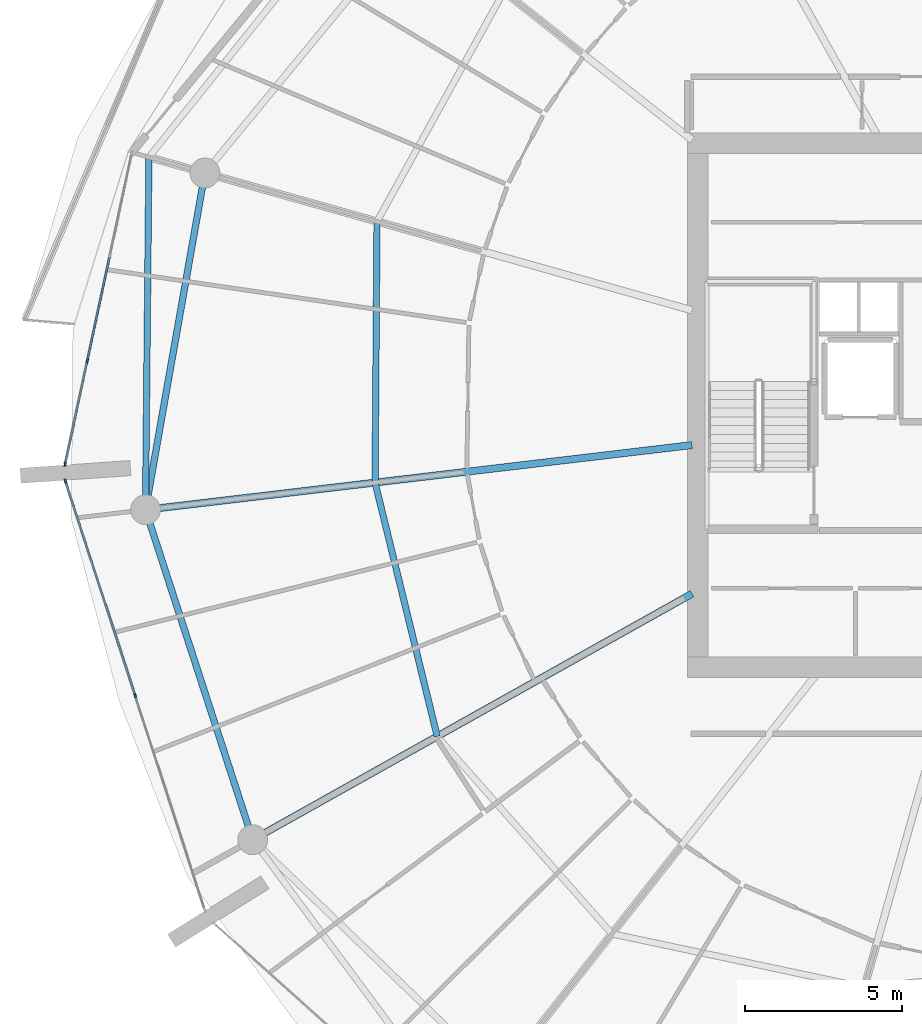
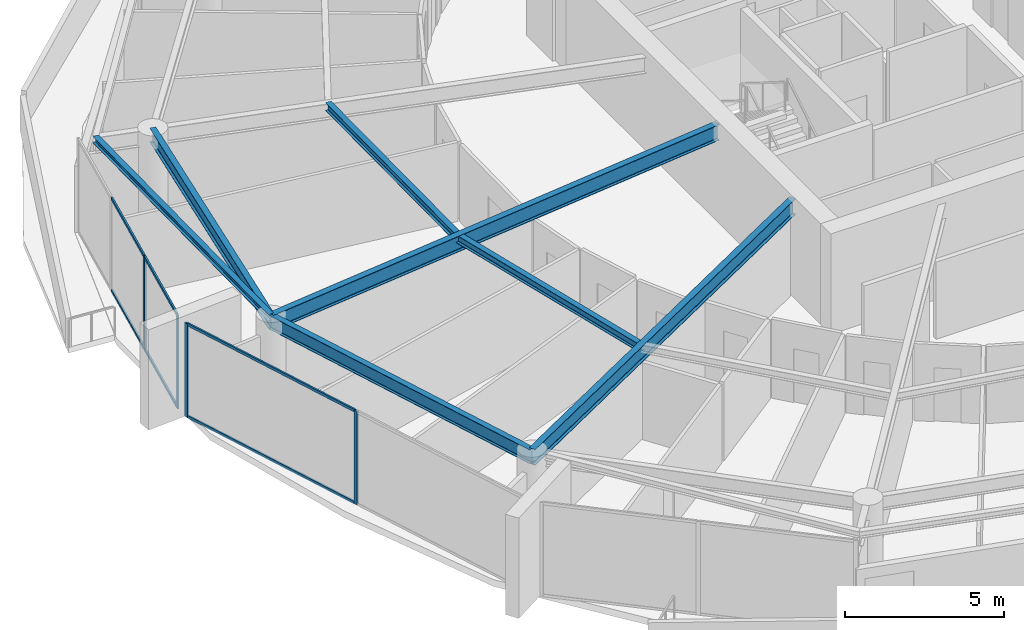
# One storey, part 8 of 30: 10 members, 7 beams, 2 elements without a shape of their own.
"""IFC4 building model written with IfcOpenShell, lengths in metres."""

import ifcopenshell
import ifcopenshell.guid

model = None  # the IFC model being written
_history = None  # IfcOwnerHistory: only IFC2X3 demands one
_inside = {}  # id of a spatial element -> (the spatial element, [elements in it])
_under = {}  # id of a project, library or spatial element -> (it, [spatial elements below it])
_declared = {}  # id of a project -> (the project, [libraries it declares])
_typed = {}  # id of a type object -> (the type object, [elements of that type])
_made_of = {}  # id of a material, layer set ... -> (it, [elements and type objects made of it])


def new_model(schema):
    """Start an empty IFC model of exactly this schema.

    Asked for "IFC4X3", IfcOpenShell would pick the latest addendum, in which some entities
    have other attributes; the version numbers below select the first issue.
    IFC2X3 requires an IfcOwnerHistory on every rooted entity: one is made here for all.
    """
    global model, _history
    if schema == "IFC4X3":
        model = ifcopenshell.file(schema_version=(4, 3, 0, 0))
    else:
        model = ifcopenshell.file(schema=schema)
    _inside.clear()
    _under.clear()
    _declared.clear()
    _typed.clear()
    _made_of.clear()
    _history = None
    if model.schema == "IFC2X3":
        org = make("IfcOrganization", Name="unknown")
        user = make(
            "IfcPersonAndOrganization",
            ThePerson=make("IfcPerson", FamilyName="unknown"),
            TheOrganization=org,
        )
        app = make(
            "IfcApplication",
            ApplicationDeveloper=org,
            Version="unknown",
            ApplicationFullName="unknown",
            ApplicationIdentifier="unknown",
        )
        _history = make(
            "IfcOwnerHistory",
            OwningUser=user,
            OwningApplication=app,
            ChangeAction="ADDED",
            CreationDate=0,
        )
    return model


def make(cls, **values):
    """One entity of the class cls with the attributes given. An attribute that is None is left unset."""
    return model.create_entity(
        cls, **{name: value for name, value in values.items() if value is not None}
    )


def rooted(cls, **values):
    """An entity with a GlobalId (a new one), such as an element, a storey or a relation."""
    return make(cls, GlobalId=ifcopenshell.guid.new(), OwnerHistory=_history, **values)


def si_unit(unit_type, name, prefix=None):
    """IfcSIUnit, for example si_unit("LENGTHUNIT", "METRE", prefix="MILLI")."""
    return make("IfcSIUnit", UnitType=unit_type, Prefix=prefix, Name=name)


def assignment(units):
    """IfcUnitAssignment: the units of a project."""
    return None if units is None else make("IfcUnitAssignment", Units=units)


def point(xyz):
    """IfcCartesianPoint."""
    return None if xyz is None else make("IfcCartesianPoint", Coordinates=xyz)


def direction(xyz):
    """IfcDirection."""
    return None if xyz is None else make("IfcDirection", DirectionRatios=xyz)


def frame(location, z_axis=None, x_axis=None):
    """IfcAxis2Placement3D, a coordinate frame: its origin and axes. An axis left out is left unset."""
    return make(
        "IfcAxis2Placement3D",
        Location=point(location),
        Axis=direction(z_axis),
        RefDirection=direction(x_axis),
    )


def frame_2d(location, x_axis=None):
    """IfcAxis2Placement2D, a coordinate frame in the plane: its origin and x axis."""
    return make(
        "IfcAxis2Placement2D", Location=point(location), RefDirection=direction(x_axis)
    )


def origin():
    """The frame at (0, 0, 0) with its axes left unset."""
    return frame((0.0, 0.0, 0.0))


def origin_2d():
    """The frame at (0, 0) in the plane with its x axis left unset."""
    return frame_2d((0.0, 0.0))


def place(relative_to, where):
    """IfcLocalPlacement: puts the frame where relative to a parent placement (None: the world)."""
    return make(
        "IfcLocalPlacement", PlacementRelTo=relative_to, RelativePlacement=where
    )


def context(
    kind, dimensions, precision=None, world=None, true_north=None, identifier=None
):
    """IfcGeometricRepresentationContext, for example the 3D "Model" context."""
    return make(
        "IfcGeometricRepresentationContext",
        ContextIdentifier=identifier,
        ContextType=kind,
        CoordinateSpaceDimension=dimensions,
        Precision=precision,
        WorldCoordinateSystem=world,
        TrueNorth=true_north,
    )


def subcontext(parent, identifier, kind, view, scale=None):
    """IfcGeometricRepresentationSubContext, for example "Body" below "Model"."""
    return make(
        "IfcGeometricRepresentationSubContext",
        ContextIdentifier=identifier,
        ContextType=kind,
        ParentContext=parent,
        TargetScale=scale,
        TargetView=view,
    )


def project(units=None, contexts=None):
    """IfcProject with its units and contexts."""
    return rooted(
        "IfcProject",
        Name="project",
        RepresentationContexts=contexts,
        UnitsInContext=assignment(units),
    )


def spatial(cls, under=None, at=None, **own):
    """A site, building, storey or space (cls), placed at a placement, below another one or the project."""
    s = rooted(cls, ObjectPlacement=at, **own)
    if under is not None:
        _under.setdefault(under.id(), (under, []))[1].append(s)
    return s


def profile(cls, at=None, kind="AREA", **sizes):
    """A parametric profile (cls). Its sizes go by their IFC names, for example OverallWidth=200.0."""
    return make(cls, ProfileType=kind, Position=at, **sizes)


def rectangle(**sizes):
    """IfcRectangleProfileDef."""
    return profile("IfcRectangleProfileDef", **sizes)


def i_section(**sizes):
    """IfcIShapeProfileDef."""
    return profile("IfcIShapeProfileDef", **sizes)


def extrude(swept, where, along, depth):
    """IfcExtrudedAreaSolid: the profile swept, set in the frame where, extruded along a direction by depth."""
    return make(
        "IfcExtrudedAreaSolid",
        SweptArea=swept,
        Position=where,
        ExtrudedDirection=direction(along),
        Depth=depth,
    )


def shape(context_of_items, identifier, shape_type, items):
    """IfcShapeRepresentation: the items that make up one representation, for example the "Body"."""
    return make(
        "IfcShapeRepresentation",
        ContextOfItems=context_of_items,
        RepresentationIdentifier=identifier,
        RepresentationType=shape_type,
        Items=items,
    )


def material(Name=None, Category=None):
    """IfcMaterial."""
    return make("IfcMaterial", Name=Name, Category=Category)


def layer(
    of_material, thickness, ventilated=None, Name=None, Category=None, Priority=None
):
    """IfcMaterialLayer: one layer of a wall or slab, of a material (None: an air gap)."""
    return make(
        "IfcMaterialLayer",
        Material=of_material,
        LayerThickness=thickness,
        IsVentilated=ventilated,
        Name=Name,
        Category=Category,
        Priority=Priority,
    )


def layer_set(layers, Name=None):
    """IfcMaterialLayerSet."""
    return make("IfcMaterialLayerSet", MaterialLayers=layers, LayerSetName=Name)


def material_profile(
    of_material, cross_section, Name=None, Category=None, Priority=None
):
    """IfcMaterialProfile: a cross section and its material."""
    return make(
        "IfcMaterialProfile",
        Name=Name,
        Material=of_material,
        Profile=cross_section,
        Priority=Priority,
        Category=Category,
    )


def profile_set(profiles, Name=None, composite=None):
    """IfcMaterialProfileSet."""
    return make(
        "IfcMaterialProfileSet",
        Name=Name,
        MaterialProfiles=profiles,
        CompositeProfile=composite,
    )


def made_of(thing, what):
    """Note that an element or type object is made of a material, layer set ...; save() writes the relation."""
    if what is not None:
        _made_of.setdefault(what.id(), (what, []))[1].append(thing)
    return thing


def type_object(cls, material=None, **own):
    """A type object (cls), such as IfcWallType, which elements share."""
    return made_of(rooted(cls, **own), material)


def element(
    cls,
    number,
    at=None,
    inside=None,
    cuts=None,
    type_object=None,
    material=None,
    context=None,
    identifier="Body",
    shape_type=None,
    held_by="IfcProductDefinitionShape",
    body=None,
    shapes=None,
    **own,
):
    """One element of the class cls, such as IfcWall. Its Tag is "e" and its number.

    at: its placement. inside: the storey or other place that contains it. cuts: it is an
    opening in that element (IfcRelVoidsElement). A single representation is given by context,
    identifier, shape_type and body (its items); several are given by shapes. held_by: the class
    of the entity that holds the representations. save() writes the other relations.
    """
    e = rooted(cls, Tag="e%d" % number, ObjectPlacement=at, **own)
    if body is not None:
        shapes = [shape(context, identifier, shape_type, body)]
    if shapes is not None:
        e.Representation = make(held_by, Representations=shapes)
    if inside is not None:
        _inside.setdefault(inside.id(), (inside, []))[1].append(e)
    if cuts is not None:
        rooted(
            "IfcRelVoidsElement", RelatingBuildingElement=cuts, RelatedOpeningElement=e
        )
    if type_object is not None:
        _typed.setdefault(type_object.id(), (type_object, []))[1].append(e)
    return made_of(e, material)


def aggregate(whole, parts):
    """IfcRelAggregates: a whole, such as a stair, and the parts it consists of."""
    return rooted("IfcRelAggregates", RelatingObject=whole, RelatedObjects=parts)


def save(model, path):
    """Write the relations noted so far, then the file.

    IfcRelAggregates (storeys below a building ...), IfcRelContainedInSpatialStructure (elements
    in a storey), IfcRelDefinesByType, IfcRelAssociatesMaterial and IfcRelDeclares: one each for
    every whole, place, type object, material and project.
    """
    for whole, parts in _under.values():
        aggregate(whole, parts)
    for where, things in _inside.values():
        rooted(
            "IfcRelContainedInSpatialStructure",
            RelatedElements=things,
            RelatingStructure=where,
        )
    for kind, things in _typed.values():
        rooted("IfcRelDefinesByType", RelatedObjects=things, RelatingType=kind)
    for what, things in _made_of.values():
        rooted("IfcRelAssociatesMaterial", RelatedObjects=things, RelatingMaterial=what)
    for by, libraries in _declared.values():
        rooted("IfcRelDeclares", RelatingContext=by, RelatedDefinitions=libraries)
    model.write(path)


model = new_model("IFC4")

# Units and contexts
model_context = context("Model", 3, precision=1e-05, world=origin(), true_north=direction((0.0, 1.0)))
body_context = subcontext(model_context, "Body", "Model", "MODEL_VIEW")
ifc_project = project(units=[si_unit("LENGTHUNIT", "METRE"), si_unit("AREAUNIT", "SQUARE_METRE"), si_unit("VOLUMEUNIT", "CUBIC_METRE"), si_unit("PLANEANGLEUNIT", "RADIAN"), si_unit("MASSUNIT", "GRAM", prefix="KILO")], contexts=[model_context])

# Site, building, storey
site_placement = place(None, origin())
site = spatial("IfcSite", under=ifc_project, at=site_placement, CompositionType="ELEMENT")
building_placement = place(site_placement, origin())
building = spatial("IfcBuilding", under=site, at=building_placement, Name="Kazma Halo Residences", CompositionType="ELEMENT")
storey_placement = place(building_placement, frame((0.0, 0.0, 244.39990234375)))
storey = spatial("IfcBuildingStorey", under=building, at=storey_placement, Name="L61", CompositionType="ELEMENT", Elevation=244.39990234375)

# Beams
ifc_material_1 = material(Name="Steel S355", Category="steel")
ifc_material_profile_1 = material_profile(ifc_material_1, i_section(OverallWidth=0.201904296875, OverallDepth=0.2470703125, WebThickness=0.00732421875, FlangeThickness=0.010986328125, FilletRadius=0.011962890625, at=origin_2d()), Name="W250x49.1")
ifc_profile_set_1 = profile_set([ifc_material_profile_1], Name="Steel S355")
beam_type_1 = type_object("IfcBeamType", Name="BM-BAL-CANT", PredefinedType="BEAM", material=ifc_profile_set_1)
beam_1_placement = place(storey_placement, frame((20.028564453125, 49.888916015625, 3.466552734375), z_axis=(-0.009645503464, -0.999953481049, 0.0), x_axis=(0.999953481049, -0.009645503464, 0.0)))
element("IfcBeam", 1, at=beam_1_placement, inside=storey, type_object=beam_type_1, Name="L61 wave-balcony tie beam 07", PredefinedType="BEAM", context=body_context, shape_type="SweptSolid", body=[
    extrude(i_section(OverallWidth=0.201904296875, OverallDepth=0.2470703125, WebThickness=0.00732421875, FlangeThickness=0.010986328125, FilletRadius=0.011962890625, at=origin_2d()), origin(), (0.0, 0.0, 1.0), 11.212890625),
])
ifc_material_profile_2 = material_profile(ifc_material_1, i_section(OverallWidth=0.22802734375, OverallDepth=0.60791015625, WebThickness=0.01123046875, FlangeThickness=0.017333984375, FilletRadius=0.01806640625, at=origin_2d()), Name="W610x113")
ifc_profile_set_2 = profile_set([ifc_material_profile_2], Name="Steel S355")
beam_type_2 = type_object("IfcBeamType", Name="BM-RAD-W610", PredefinedType="BEAM", material=ifc_profile_set_2)
beam_2_placement = place(storey_placement, frame((37.300048828125, 40.733642578125, 3.2861328125), z_axis=(-0.993067702517, -0.117543771495, 0.0), x_axis=(0.117543771495, -0.993067702517, 0.0)))
element("IfcBeam", 2, at=beam_2_placement, inside=storey, type_object=beam_type_2, Name="L61 radial floor beam 08", PredefinedType="BEAM", context=body_context, shape_type="SweptSolid", body=[
    extrude(i_section(OverallWidth=0.22802734375, OverallDepth=0.60791015625, WebThickness=0.01123046875, FlangeThickness=0.017333984375, FilletRadius=0.01806640625, at=origin_2d()), origin(), (0.0, 0.0, 1.0), 17.5009765625),
])
beam_3_placement = place(storey_placement, frame((37.300048828125, 36.0078125, 3.2861328125), z_axis=(-0.872498735757, -0.488616369049, 0.0), x_axis=(0.488616369049, -0.872498735757, 0.0)))
element("IfcBeam", 3, at=beam_3_placement, inside=storey, type_object=beam_type_2, Name="L61 radial floor beam 09", PredefinedType="BEAM", context=body_context, shape_type="SweptSolid", body=[
    extrude(i_section(OverallWidth=0.22802734375, OverallDepth=0.60791015625, WebThickness=0.01123046875, FlangeThickness=0.017333984375, FilletRadius=0.01806640625, at=origin_2d()), origin(), (0.0, 0.0, 1.0), 16.011962890625),
])
ifc_material_profile_3 = material_profile(ifc_material_1, i_section(OverallWidth=0.202880859375, OverallDepth=0.302978515625, WebThickness=0.007568359375, FlangeThickness=0.01318359375, FilletRadius=0.013916015625, at=origin_2d()), Name="W310x60")
ifc_profile_set_3 = profile_set([ifc_material_profile_3], Name="Steel S355")
beam_type_3 = type_object("IfcBeamType", Name="BM-SEC-W310A", PredefinedType="JOIST", material=ifc_profile_set_3)
beam_4_placement = place(storey_placement, frame((27.282470703125, 47.843017578125, 3.4384765625), z_axis=(-0.007527648623, -0.999971666852, 0.0), x_axis=(0.999971666852, -0.007527648623, 0.0)))
element("IfcBeam", 4, at=beam_4_placement, inside=storey, type_object=beam_type_3, Name="L61 circumferential floor joist 07", PredefinedType="JOIST", context=body_context, shape_type="SweptSolid", body=[
    extrude(i_section(OverallWidth=0.202880859375, OverallDepth=0.302978515625, WebThickness=0.007568359375, FlangeThickness=0.01318359375, FilletRadius=0.013916015625, at=origin_2d()), origin(), (0.0, 0.0, 1.0), 8.302734375),
])
beam_5_placement = place(storey_placement, frame((27.219970703125, 39.54052734375, 3.4384765625), z_axis=(0.237963200266, -0.971274171035, 0.0), x_axis=(0.971274171035, 0.237963200266, 0.0)))
element("IfcBeam", 5, at=beam_5_placement, inside=storey, type_object=beam_type_3, Name="L61 circumferential floor joist 08", PredefinedType="JOIST", context=body_context, shape_type="SweptSolid", body=[
    extrude(i_section(OverallWidth=0.202880859375, OverallDepth=0.302978515625, WebThickness=0.007568359375, FlangeThickness=0.01318359375, FilletRadius=0.013916015625, at=origin_2d()), origin(), (0.0, 0.0, 1.0), 8.309326171875),
])
ifc_material_profile_4 = material_profile(ifc_material_1, i_section(OverallWidth=0.208984375, OverallDepth=0.532958984375, WebThickness=0.01025390625, FlangeThickness=0.015625, FilletRadius=0.01611328125, at=origin_2d()), Name="W530x92")
ifc_profile_set_4 = profile_set([ifc_material_profile_4], Name="Steel S355")
beam_type_4 = type_object("IfcBeamType", Name="BM-SPN-W530", PredefinedType="BEAM", material=ifc_profile_set_4)
beam_6_placement = place(storey_placement, frame((21.80908203125, 49.38671875, 3.323486328125), z_axis=(-0.173663672311, -0.984805020763, 0.0), x_axis=(0.984805020763, -0.173663672311, 0.0)))
element("IfcBeam", 6, at=beam_6_placement, inside=storey, type_object=beam_type_4, Name="L61 perimeter ring beam 07", PredefinedType="BEAM", context=body_context, shape_type="SweptSolid", body=[
    extrude(i_section(OverallWidth=0.208984375, OverallDepth=0.532958984375, WebThickness=0.01025390625, FlangeThickness=0.015625, FilletRadius=0.01611328125, at=origin_2d()), origin(), (0.0, 0.0, 1.0), 10.87548828125),
])
beam_7_placement = place(storey_placement, frame((19.92041015625, 38.676513671875, 3.323486328125), z_axis=(0.309015517474, -0.951056996168, 0.0), x_axis=(0.951056996168, 0.309015517474, 0.0)))
element("IfcBeam", 7, at=beam_7_placement, inside=storey, type_object=beam_type_4, Name="L61 perimeter ring beam 08", PredefinedType="BEAM", context=body_context, shape_type="SweptSolid", body=[
    extrude(i_section(OverallWidth=0.208984375, OverallDepth=0.532958984375, WebThickness=0.01025390625, FlangeThickness=0.015625, FilletRadius=0.01611328125, at=origin_2d()), origin(), (0.0, 0.0, 1.0), 11.032470703125),
])

# Curtain wall, members
ifc_material_2 = material(Name="Aluminium AW-6063 T6 and Triple-Silver Low-E Glass", Category="aluminium")
ifc_layer = layer(ifc_material_2, 0.139892578125)
ifc_layer_set = layer_set([ifc_layer], Name="Aluminium AW-6063 T6 and Triple-Silver Low-E Glass")
curtain_wall_type = type_object("IfcCurtainWallType", Name="CW-SYS-5", PredefinedType="NOTDEFINED", material=ifc_layer_set)
curtain_wall_1_placement = place(storey_placement, origin())
curtain_wall_1 = element("IfcCurtainWall", 8, at=curtain_wall_1_placement, inside=storey, type_object=curtain_wall_type, Name="L61 unitised curtain wall B07", PredefinedType="NOTDEFINED")
ifc_material_3 = material(Name="Aluminium AW-6063 T6", Category="aluminium")
ifc_material_profile_5 = material_profile(ifc_material_3, rectangle(XDim=0.06005859375, YDim=0.139892578125, at=origin_2d()), Name="CWM-60x140")
ifc_profile_set_5 = profile_set([ifc_material_profile_5], Name="Aluminium AW-6063 T6")
member_type_1 = type_object("IfcMemberType", Name="CW-SYS-5-MUL", PredefinedType="MULLION", material=ifc_profile_set_5)
member_1_placement = place(storey_placement, frame((18.0703125, 43.412841796875, 0.0), z_axis=(0.0, 0.0, 1.0), x_axis=(0.97777491373, -0.209657382603, 0.0)))
member_1 = element("IfcMember", 9, at=member_1_placement, type_object=member_type_1, Name="CWS-5 mullion 3", PredefinedType="MULLION", context=body_context, shape_type="SweptSolid", body=[
    extrude(rectangle(XDim=0.06005859375, YDim=0.139892578125, at=origin_2d()), origin(), (0.0, 0.0, 1.0), 3.590087890625),
])
member_2_placement = place(storey_placement, frame((17.3662109375, 40.12841796875, 0.0), z_axis=(0.0, 0.0, 1.0), x_axis=(0.97777491373, -0.209657382603, 0.0)))
member_2 = element("IfcMember", 10, at=member_2_placement, type_object=member_type_1, Name="CWS-5 mullion 4", PredefinedType="MULLION", context=body_context, shape_type="SweptSolid", body=[
    extrude(rectangle(XDim=0.06005859375, YDim=0.139892578125, at=origin_2d()), origin(), (0.0, 0.0, 1.0), 3.590087890625),
])

curtain_wall_2_placement = place(storey_placement, origin())
curtain_wall_2 = element("IfcCurtainWall", 11, at=curtain_wall_2_placement, inside=storey, type_object=curtain_wall_type, Name="L61 unitised curtain wall B08", PredefinedType="NOTDEFINED")
member_3_placement = place(storey_placement, frame((17.377197265625, 39.587646484375, 0.0), z_axis=(0.0, 0.0, 1.0), x_axis=(0.951058464359, 0.309010998786, 0.0)))
member_3 = element("IfcMember", 12, at=member_3_placement, type_object=member_type_1, Name="CWS-5 mullion 1", PredefinedType="MULLION", context=body_context, shape_type="SweptSolid", body=[
    extrude(rectangle(XDim=0.06005859375, YDim=0.139892578125, at=origin_2d()), origin(), (0.0, 0.0, 1.0), 3.590087890625),
])
member_4_placement = place(storey_placement, frame((19.59228515625, 32.769775390625, 0.0), z_axis=(0.0, 0.0, 1.0), x_axis=(0.951058464359, 0.309010998786, 0.0)))
member_4 = element("IfcMember", 13, at=member_4_placement, type_object=member_type_1, Name="CWS-5 mullion 2", PredefinedType="MULLION", context=body_context, shape_type="SweptSolid", body=[
    extrude(rectangle(XDim=0.06005859375, YDim=0.139892578125, at=origin_2d()), origin(), (0.0, 0.0, 1.0), 3.590087890625),
])

# Member
ifc_material_profile_6 = material_profile(ifc_material_3, rectangle(XDim=0.06005859375, YDim=0.10498046875, at=origin_2d()), Name="CWT-60x105")
ifc_profile_set_6 = profile_set([ifc_material_profile_6], Name="Aluminium AW-6063 T6")
member_type_2 = type_object("IfcMemberType", Name="CW-SYS-5-TRN", PredefinedType="USERDEFINED", material=ifc_profile_set_6)
member_5_placement = place(storey_placement, frame((18.774658203125, 46.697265625, 0.030029296875), z_axis=(-0.209664309019, -0.977773428522, 0.0), x_axis=(0.977773428522, -0.209664309019, 0.0)))
member_5 = element("IfcMember", 14, at=member_5_placement, type_object=member_type_2, Name="CWS-5 transom 2.1", ObjectType="TRANSOM", PredefinedType="USERDEFINED", context=body_context, shape_type="SweptSolid", body=[
    extrude(rectangle(XDim=0.06005859375, YDim=0.10498046875, at=origin_2d()), origin(), (0.0, 0.0, 1.0), 3.3291015625),
])

member_6_placement = place(storey_placement, frame((18.774658203125, 46.697265625, 3.56005859375), z_axis=(-0.209664309019, -0.977773428522, 0.0), x_axis=(0.977773428522, -0.209664309019, 0.0)))
member_6 = element("IfcMember", 15, at=member_6_placement, type_object=member_type_2, Name="CWS-5 transom 2.2", ObjectType="TRANSOM", PredefinedType="USERDEFINED", context=body_context, shape_type="SweptSolid", body=[
    extrude(rectangle(XDim=0.06005859375, YDim=0.10498046875, at=origin_2d()), origin(), (0.0, 0.0, 1.0), 3.3291015625),
])

member_7_placement = place(storey_placement, frame((18.064208984375, 43.383544921875, 0.030029296875), z_axis=(-0.209645323239, -0.977777499457, 0.0), x_axis=(0.977777499457, -0.209645323239, 0.0)))
member_7 = element("IfcMember", 16, at=member_7_placement, type_object=member_type_2, Name="CWS-5 transom 3.1", ObjectType="TRANSOM", PredefinedType="USERDEFINED", context=body_context, shape_type="SweptSolid", body=[
    extrude(rectangle(XDim=0.06005859375, YDim=0.10498046875, at=origin_2d()), origin(), (0.0, 0.0, 1.0), 3.299072265625),
])

member_8_placement = place(storey_placement, frame((18.064208984375, 43.383544921875, 3.56005859375), z_axis=(-0.209645323239, -0.977777499457, 0.0), x_axis=(0.977777499457, -0.209645323239, 0.0)))
member_8 = element("IfcMember", 17, at=member_8_placement, type_object=member_type_2, Name="CWS-5 transom 3.2", ObjectType="TRANSOM", PredefinedType="USERDEFINED", context=body_context, shape_type="SweptSolid", body=[
    extrude(rectangle(XDim=0.06005859375, YDim=0.10498046875, at=origin_2d()), origin(), (0.0, 0.0, 1.0), 3.299072265625),
])

aggregate(curtain_wall_1, [member_1, member_2, member_5, member_6, member_7, member_8])

member_9_placement = place(storey_placement, frame((17.386474609375, 39.55908203125, 0.030029296875), z_axis=(0.308995987448, -0.951063341603, 0.0), x_axis=(0.951063341603, 0.308995987448, 0.0)))
member_9 = element("IfcMember", 18, at=member_9_placement, type_object=member_type_2, Name="CWS-5 transom 1.1", ObjectType="TRANSOM", PredefinedType="USERDEFINED", context=body_context, shape_type="SweptSolid", body=[
    extrude(rectangle(XDim=0.06005859375, YDim=0.10498046875, at=origin_2d()), origin(), (0.0, 0.0, 1.0), 7.108642578125),
])

member_10_placement = place(storey_placement, frame((17.386474609375, 39.55908203125, 3.56005859375), z_axis=(0.308995987448, -0.951063341603, 0.0), x_axis=(0.951063341603, 0.308995987448, 0.0)))
member_10 = element("IfcMember", 19, at=member_10_placement, type_object=member_type_2, Name="CWS-5 transom 1.2", ObjectType="TRANSOM", PredefinedType="USERDEFINED", context=body_context, shape_type="SweptSolid", body=[
    extrude(rectangle(XDim=0.06005859375, YDim=0.10498046875, at=origin_2d()), origin(), (0.0, 0.0, 1.0), 7.108642578125),
])

aggregate(curtain_wall_2, [member_3, member_4, member_9, member_10])

save(model, "model.ifc")
